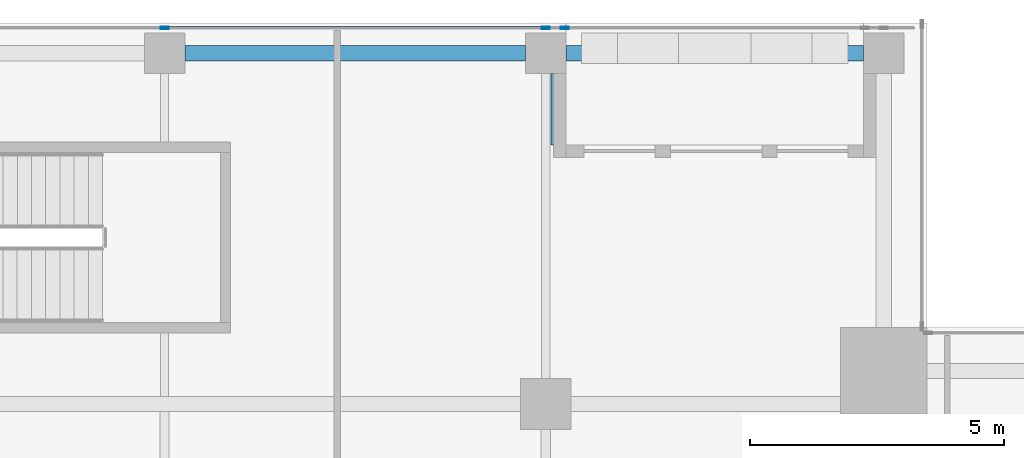
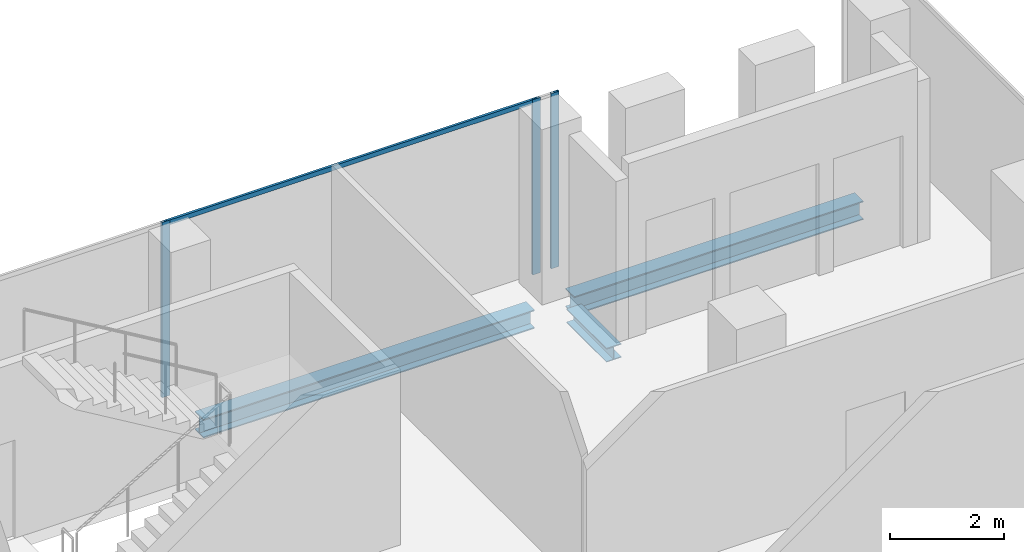
# One storey, part 17 of 29: 4 members, 3 beams, 1 element without a shape of its own.
"""IFC4 building model written with IfcOpenShell, lengths in metres."""

from ifc_helpers import new_model, si_unit, direction, frame, origin, origin_2d, place, context, subcontext, project, spatial, hollow_rectangle, i_section, extrude, source, transform, mapped, material, material_profile, profile_set, type_object, element, aggregate, save


model = new_model("IFC4")

# Units and contexts
model_context = context("Model", 3, precision=1e-05, world=origin(), true_north=direction((0.0, 1.0)))
body_context = subcontext(model_context, "Body", "Model", "MODEL_VIEW")
ifc_project = project(units=[si_unit("LENGTHUNIT", "METRE"), si_unit("AREAUNIT", "SQUARE_METRE"), si_unit("VOLUMEUNIT", "CUBIC_METRE"), si_unit("PLANEANGLEUNIT", "RADIAN"), si_unit("MASSUNIT", "GRAM", prefix="KILO")], contexts=[model_context])

# Site, building, storey
site_placement = place(None, origin())
site = spatial("IfcSite", under=ifc_project, at=site_placement, CompositionType="ELEMENT")
building_placement = place(site_placement, origin())
building = spatial("IfcBuilding", under=site, at=building_placement, Name="Khomas Fold Tower", CompositionType="ELEMENT")
storey_placement = place(building_placement, frame((0.0, 0.0, 314.199951171875)))
storey = spatial("IfcBuildingStorey", under=building, at=storey_placement, Name="L71", CompositionType="ELEMENT", Elevation=314.199951171875)

# Beams
ifc_material_1 = material(Name="Steel S355", Category="steel")
ifc_material_profile_1 = material_profile(ifc_material_1, i_section(OverallWidth=0.300048828125, OverallDepth=0.39990234375, WebThickness=0.013427734375, FlangeThickness=0.02392578125, at=origin_2d()), Name="HE 400 B")
ifc_profile_set_1 = profile_set([ifc_material_profile_1], Name="Steel S355")
beam_type_1 = type_object("IfcBeamType", Name="HE 400 B spandrel SB5", PredefinedType="SPANDREL", material=ifc_profile_set_1)
shared_shape_1 = source(origin(), body_context, "Body", "SweptSolid", [
    extrude(i_section(OverallWidth=0.300048828125, OverallDepth=0.39990234375, WebThickness=0.013427734375, FlangeThickness=0.02392578125, at=origin_2d()), origin(), (0.0, 0.0, 1.0), 5.85009765625),
])
beam_1_placement = place(storey_placement, frame((34.89990234375, 47.39990234375, -0.449951171875), z_axis=(1.0, 0.0, 0.0), x_axis=(0.0, 1.0, 0.0)))
element("IfcBeam", 1, at=beam_1_placement, inside=storey, type_object=beam_type_1, Name="SB5", PredefinedType="SPANDREL", context=body_context, shape_type="MappedRepresentation", body=[
    mapped(shared_shape_1, transform((0.0, 0.0, 0.0))),
])
shared_shape_2 = source(origin(), body_context, "Body", "SweptSolid", [
    extrude(i_section(OverallWidth=0.300048828125, OverallDepth=0.39990234375, WebThickness=0.013427734375, FlangeThickness=0.02392578125, at=origin_2d()), origin(), (0.0, 0.0, 1.0), 6.7001953125),
])
beam_2_placement = place(storey_placement, frame((27.39990234375, 47.39990234375, -0.449951171875), z_axis=(1.0, 0.0, 0.0), x_axis=(0.0, 1.0, 0.0)))
element("IfcBeam", 2, at=beam_2_placement, inside=storey, type_object=beam_type_1, Name="SB5", PredefinedType="SPANDREL", context=body_context, shape_type="MappedRepresentation", body=[
    mapped(shared_shape_2, transform((0.0, 0.0, 0.0))),
])
ifc_material_2 = material(Name="Steel S355", Category="steel")
ifc_material_profile_2 = material_profile(ifc_material_2, i_section(OverallWidth=0.300048828125, OverallDepth=0.300048828125, WebThickness=0.010986328125, FlangeThickness=0.01904296875, at=origin_2d()), Name="HE 300 B")
ifc_profile_set_2 = profile_set([ifc_material_profile_2], Name="Steel S355")
beam_type_2 = type_object("IfcBeamType", Name="HE 300 B beam BB1", PredefinedType="BEAM", material=ifc_profile_set_2)
shared_shape_3 = source(origin(), body_context, "Body", "SweptSolid", [
    extrude(i_section(OverallWidth=0.300048828125, OverallDepth=0.300048828125, WebThickness=0.010986328125, FlangeThickness=0.01904296875, at=origin_2d()), origin(), (0.0, 0.0, 1.0), 1.39990234375),
])
beam_3_placement = place(storey_placement, frame((34.75, 45.60009765625, -0.39990234375), z_axis=(0.0, 1.0, 0.0), x_axis=(-1.0, 0.0, 0.0)))
element("IfcBeam", 3, at=beam_3_placement, inside=storey, type_object=beam_type_2, Name="BB1", PredefinedType="BEAM", context=body_context, shape_type="MappedRepresentation", body=[
    mapped(shared_shape_3, transform((0.0, 0.0, 0.0))),
])

# Curtain wall, members
ifc_material_3 = material(Name="Aluminium framed double glazing", Category="aluminium")
curtain_wall_type = type_object("IfcCurtainWallType", Name="SK-Unitised clear-glass wall, upper floors CW3", PredefinedType="NOTDEFINED", material=ifc_material_3)
curtain_wall_placement = place(storey_placement, origin())
curtain_wall = element("IfcCurtainWall", 4, at=curtain_wall_placement, inside=storey, type_object=curtain_wall_type, Name="CW3 run L71 06-1", PredefinedType="NOTDEFINED")
ifc_material_4 = material(Name="Aluminium", Category="aluminium")
ifc_material_profile_3 = material_profile(ifc_material_4, hollow_rectangle(XDim=0.050048828125, YDim=0.159912109375, WallThickness=0.00390625, at=origin_2d()), Name="SK-Unitised clear-glass wall, upper floors mullion CW3-M")
ifc_profile_set_3 = profile_set([ifc_material_profile_3], Name="Aluminium")
member_type_1 = type_object("IfcMemberType", Name="SK-Unitised clear-glass wall, upper floors mullion CW3-M", PredefinedType="MULLION", material=ifc_profile_set_3)
shared_shape_4 = source(origin(), body_context, "Body", "SweptSolid", [
    extrude(hollow_rectangle(XDim=0.050048828125, YDim=0.159912109375, WallThickness=0.00390625, at=origin_2d()), origin(), (0.0, 0.0, 1.0), 3.75),
])
member_1_placement = place(storey_placement, frame((34.875, 47.89990234375, 0.0), z_axis=(0.0, 0.0, 1.0), x_axis=(0.0, -1.0, 0.0)))
member_1 = element("IfcMember", 5, at=member_1_placement, type_object=member_type_1, Name="CW3 mullion 1", PredefinedType="MULLION", context=body_context, shape_type="MappedRepresentation", body=[
    mapped(shared_shape_4, transform((0.0, 0.0, 0.0))),
])
member_2_placement = place(storey_placement, frame((34.5, 47.89990234375, 0.0), z_axis=(0.0, 0.0, 1.0), x_axis=(0.0, -1.0, 0.0)))
member_2 = element("IfcMember", 6, at=member_2_placement, type_object=member_type_1, Name="CW3 mullion 2", PredefinedType="MULLION", context=body_context, shape_type="MappedRepresentation", body=[
    mapped(shared_shape_4, transform((0.0, 0.0, 0.0))),
])
member_3_placement = place(storey_placement, frame((27.0, 47.89990234375, 0.0), z_axis=(0.0, 0.0, 1.0), x_axis=(0.0, -1.0, 0.0)))
member_3 = element("IfcMember", 7, at=member_3_placement, type_object=member_type_1, Name="CW3 mullion 3", PredefinedType="MULLION", context=body_context, shape_type="MappedRepresentation", body=[
    mapped(shared_shape_4, transform((0.0, 0.0, 0.0))),
])
ifc_material_5 = material(Name="Aluminium", Category="aluminium")
ifc_material_profile_4 = material_profile(ifc_material_5, hollow_rectangle(XDim=0.050048828125, YDim=0.10009765625, WallThickness=0.00390625, at=origin_2d()), Name="SK-Unitised clear-glass wall, upper floors transom CW3-T")
ifc_profile_set_4 = profile_set([ifc_material_profile_4], Name="Aluminium")
member_type_2 = type_object("IfcMemberType", Name="SK-Unitised clear-glass wall, upper floors transom CW3-T", PredefinedType="USERDEFINED", material=ifc_profile_set_4)
shared_shape_5 = source(origin(), body_context, "Body", "SweptSolid", [
    extrude(hollow_rectangle(XDim=0.050048828125, YDim=0.10009765625, WallThickness=0.00390625, at=origin_2d()), origin(), (0.0, 0.0, 1.0), 7.4501953125),
])
member_4_placement = place(storey_placement, frame((34.47509765625, 47.89990234375, 3.699951171875), z_axis=(-1.0, 0.0, 0.0), x_axis=(0.0, -1.0, 0.0)))
member_4 = element("IfcMember", 8, at=member_4_placement, type_object=member_type_2, Name="CW3 transom 2", ObjectType="TRANSOM", PredefinedType="USERDEFINED", context=body_context, shape_type="MappedRepresentation", body=[
    mapped(shared_shape_5, transform((0.0, 0.0, 0.0))),
])
aggregate(curtain_wall, [member_1, member_2, member_3, member_4])

save(model, "model.ifc")
